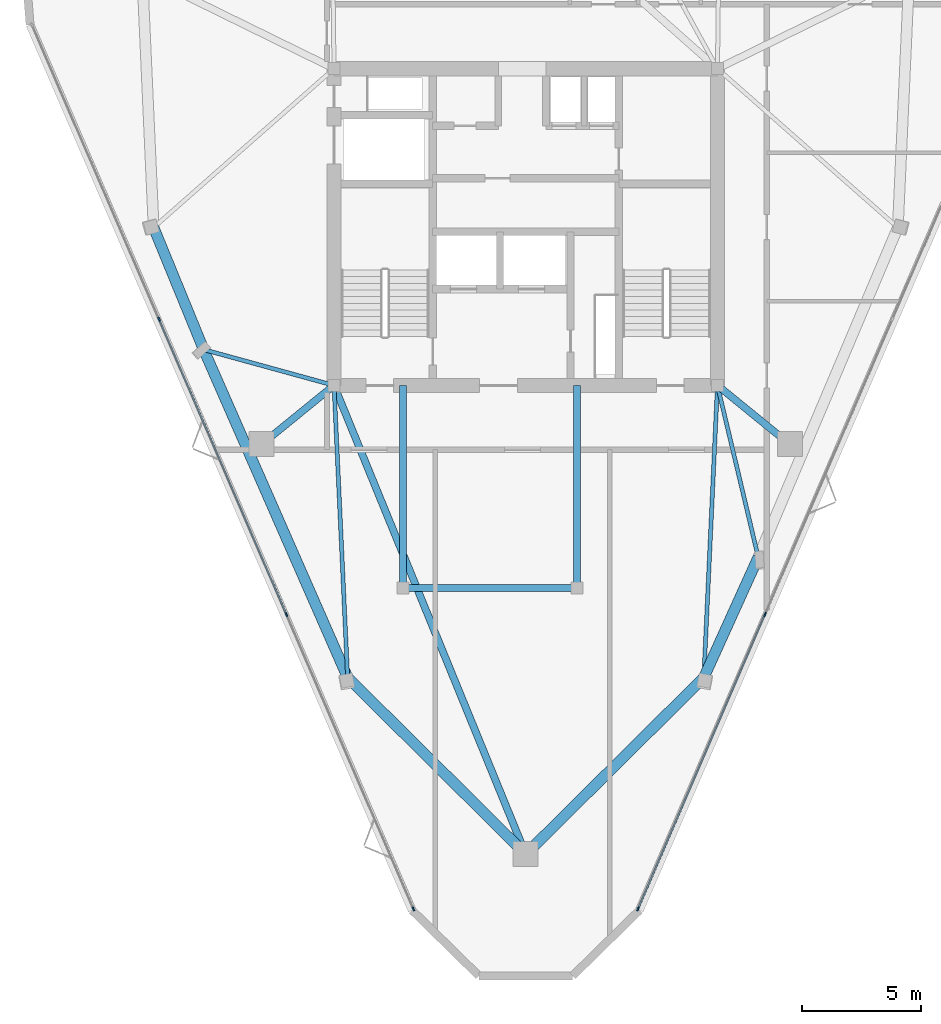
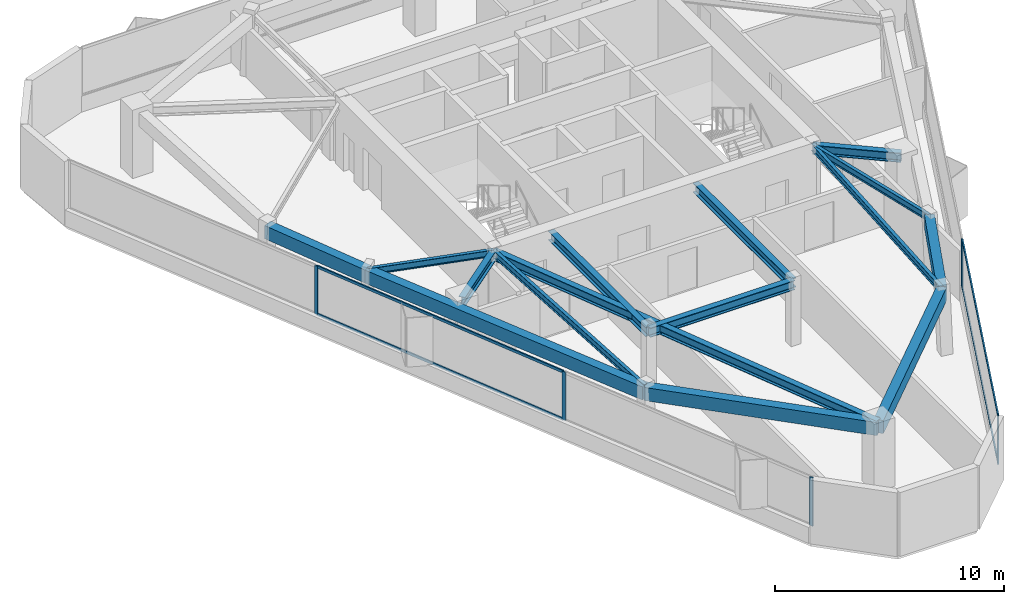
# One storey, part 2 of 9: 15 beams, 9 members, 2 elements without a shape of their own.
"""IFC4 building model written with IfcOpenShell, lengths in metres."""

from ifc_helpers import new_model, si_unit, direction, frame, origin, origin_2d, place, context, subcontext, project, spatial, rectangle, i_section, extrude, material, layer, layer_set, material_profile, profile_set, type_object, element, aggregate, save


model = new_model("IFC4")

# Units and contexts
model_context = context("Model", 3, precision=1e-05, world=origin(), true_north=direction((0.0, 1.0)))
body_context = subcontext(model_context, "Body", "Model", "MODEL_VIEW")
ifc_project = project(units=[si_unit("LENGTHUNIT", "METRE"), si_unit("AREAUNIT", "SQUARE_METRE"), si_unit("VOLUMEUNIT", "CUBIC_METRE"), si_unit("PLANEANGLEUNIT", "RADIAN"), si_unit("MASSUNIT", "GRAM", prefix="KILO")], contexts=[model_context])

# Site, building, storey
site_placement = place(None, origin())
site = spatial("IfcSite", under=ifc_project, at=site_placement, CompositionType="ELEMENT")
building_placement = place(site_placement, origin())
building = spatial("IfcBuilding", under=site, at=building_placement, Name="Talyreon Biosciences Tower", CompositionType="ELEMENT")
storey_placement = place(building_placement, frame((0.0, 0.0, 298.39990234375)))
storey = spatial("IfcBuildingStorey", under=building, at=storey_placement, Name="L79", CompositionType="ELEMENT", Elevation=298.39990234375)

# Curtain wall, members
ifc_material_1 = material(Name="Thermally broken aluminium and low-E glazing", Category="aluminium")
ifc_layer = layer(ifc_material_1, 0.175048828125)
ifc_layer_set = layer_set([ifc_layer], Name="Thermally broken aluminium and low-E glazing")
curtain_wall_type = type_object("IfcCurtainWallType", Name="CurtainWall_Zone5CompLab", PredefinedType="NOTDEFINED", material=ifc_layer_set)
curtain_wall_1_placement = place(storey_placement, origin())
curtain_wall_1 = element("IfcCurtainWall", 1, at=curtain_wall_1_placement, inside=storey, type_object=curtain_wall_type, Name="L79 Unitised Curtain Wall FCW-L79-00", PredefinedType="NOTDEFINED")
ifc_material_2 = material(Name="Anodised thermally broken aluminium", Category="aluminium")
ifc_material_profile_1 = material_profile(ifc_material_2, rectangle(XDim=0.06494140625, YDim=0.179931640625, at=origin_2d()), Name="ALUM MULLION 65x180")
ifc_profile_set_1 = profile_set([ifc_material_profile_1], Name="Anodised thermally broken aluminium")
member_type_1 = type_object("IfcMemberType", Name="CWMullion_65x180", PredefinedType="MULLION", material=ifc_profile_set_1)
member_1_placement = place(storey_placement, frame((61.2861328125, 39.369140625, 0.81005859375), z_axis=(0.0, 0.0, 1.0), x_axis=(-0.918187314575, -0.396146507437, 0.0)))
member_1 = element("IfcMember", 2, at=member_1_placement, type_object=member_type_1, Name="CW6 mullion 1", PredefinedType="MULLION", context=body_context, shape_type="SweptSolid", body=[
    extrude(rectangle(XDim=0.06494140625, YDim=0.179931640625, at=origin_2d()), origin(), (0.0, 0.0, 1.0), 2.590087890625),
])
member_2_placement = place(storey_placement, frame((55.951416015625, 51.733642578125, 0.81005859375), z_axis=(0.0, 0.0, 1.0), x_axis=(-0.918187314575, -0.396146507437, 0.0)))
member_2 = element("IfcMember", 3, at=member_2_placement, type_object=member_type_1, Name="CW6 mullion 2", PredefinedType="MULLION", context=body_context, shape_type="SweptSolid", body=[
    extrude(rectangle(XDim=0.06494140625, YDim=0.179931640625, at=origin_2d()), origin(), (0.0, 0.0, 1.0), 2.590087890625),
])
member_3_placement = place(storey_placement, frame((50.60400390625, 64.1279296875, 0.81005859375), z_axis=(0.0, 0.0, 1.0), x_axis=(-0.918187314575, -0.396146507437, 0.0)))
member_3 = element("IfcMember", 4, at=member_3_placement, type_object=member_type_1, Name="CW6 mullion 3", PredefinedType="MULLION", context=body_context, shape_type="SweptSolid", body=[
    extrude(rectangle(XDim=0.06494140625, YDim=0.179931640625, at=origin_2d()), origin(), (0.0, 0.0, 1.0), 2.590087890625),
])

curtain_wall_2_placement = place(storey_placement, origin())
curtain_wall_2 = element("IfcCurtainWall", 5, at=curtain_wall_2_placement, inside=storey, type_object=curtain_wall_type, Name="L79 Unitised Curtain Wall FCW-L79-08", PredefinedType="NOTDEFINED")
member_4_placement = place(storey_placement, frame((76.048583984375, 51.733642578125, 0.81005859375), z_axis=(0.0, 0.0, 1.0), x_axis=(0.918187314575, -0.396146507437, 0.0)))
member_4 = element("IfcMember", 6, at=member_4_placement, type_object=member_type_1, Name="CW6 mullion 3", PredefinedType="MULLION", context=body_context, shape_type="SweptSolid", body=[
    extrude(rectangle(XDim=0.06494140625, YDim=0.179931640625, at=origin_2d()), origin(), (0.0, 0.0, 1.0), 2.590087890625),
])
member_5_placement = place(storey_placement, frame((70.7138671875, 39.369140625, 0.81005859375), z_axis=(0.0, 0.0, 1.0), x_axis=(0.918187314575, -0.396146507437, 0.0)))
member_5 = element("IfcMember", 7, at=member_5_placement, type_object=member_type_1, Name="CW6 mullion 4", PredefinedType="MULLION", context=body_context, shape_type="SweptSolid", body=[
    extrude(rectangle(XDim=0.06494140625, YDim=0.179931640625, at=origin_2d()), origin(), (0.0, 0.0, 1.0), 2.590087890625),
])

# Member
ifc_material_profile_2 = material_profile(ifc_material_2, rectangle(XDim=0.06494140625, YDim=0.139892578125, at=origin_2d()), Name="ALUM TRANSOM 65x140")
ifc_profile_set_2 = profile_set([ifc_material_profile_2], Name="Anodised thermally broken aluminium")
member_type_2 = type_object("IfcMemberType", Name="CWTransom_65x140", PredefinedType="USERDEFINED", material=ifc_profile_set_2)
member_6_placement = place(storey_placement, frame((55.9384765625, 51.763427734375, 0.842529296875), z_axis=(-0.396140083642, 0.918190086056, 0.0), x_axis=(-0.918190086056, -0.396140083642, 0.0)))
member_6 = element("IfcMember", 8, at=member_6_placement, type_object=member_type_2, Name="CW6 transom 2.1", ObjectType="TRANSOM", PredefinedType="USERDEFINED", context=body_context, shape_type="SweptSolid", body=[
    extrude(rectangle(XDim=0.06494140625, YDim=0.139892578125, at=origin_2d()), origin(), (0.0, 0.0, 1.0), 13.433349609375),
])

member_7_placement = place(storey_placement, frame((55.9384765625, 51.763427734375, 3.36767578125), z_axis=(-0.396140083642, 0.918190086056, 0.0), x_axis=(-0.918190086056, -0.396140083642, 0.0)))
member_7 = element("IfcMember", 9, at=member_7_placement, type_object=member_type_2, Name="CW6 transom 2.2", ObjectType="TRANSOM", PredefinedType="USERDEFINED", context=body_context, shape_type="SweptSolid", body=[
    extrude(rectangle(XDim=0.06494140625, YDim=0.139892578125, at=origin_2d()), origin(), (0.0, 0.0, 1.0), 13.433349609375),
])

aggregate(curtain_wall_1, [member_1, member_2, member_3, member_6, member_7])

member_8_placement = place(storey_placement, frame((76.03564453125, 51.70361328125, 0.842529296875), z_axis=(-0.39614983923, -0.918185877085, 0.0), x_axis=(0.918185877085, -0.39614983923, 0.0)))
member_8 = element("IfcMember", 10, at=member_8_placement, type_object=member_type_2, Name="CW6 transom 3.1", ObjectType="TRANSOM", PredefinedType="USERDEFINED", context=body_context, shape_type="SweptSolid", body=[
    extrude(rectangle(XDim=0.06494140625, YDim=0.139892578125, at=origin_2d()), origin(), (0.0, 0.0, 1.0), 13.401123046875),
])

member_9_placement = place(storey_placement, frame((76.03564453125, 51.70361328125, 3.36767578125), z_axis=(-0.39614983923, -0.918185877085, 0.0), x_axis=(0.918185877085, -0.39614983923, 0.0)))
member_9 = element("IfcMember", 11, at=member_9_placement, type_object=member_type_2, Name="CW6 transom 3.2", ObjectType="TRANSOM", PredefinedType="USERDEFINED", context=body_context, shape_type="SweptSolid", body=[
    extrude(rectangle(XDim=0.06494140625, YDim=0.139892578125, at=origin_2d()), origin(), (0.0, 0.0, 1.0), 13.401123046875),
])

aggregate(curtain_wall_2, [member_4, member_5, member_8, member_9])

# Beams
ifc_material_3 = material(Name="Precast concrete C45/55", Category="concrete")
ifc_material_profile_3 = material_profile(ifc_material_3, rectangle(XDim=0.449951171875, YDim=0.699951171875, at=origin_2d()), Name="RCB 450x700")
ifc_profile_set_3 = profile_set([ifc_material_profile_3], Name="Precast concrete C45/55")
beam_type_1 = type_object("IfcBeamType", Name="ExpressedSpandrel_450x700", PredefinedType="SPANDREL", material=ifc_profile_set_3)
beam_1_placement = place(storey_placement, frame((66.0, 41.6669921875, 3.050048828125), z_axis=(0.709974863856, 0.704227017866, 0.0), x_axis=(-0.704227017866, 0.709974863856, 0.0)))
element("IfcBeam", 12, at=beam_1_placement, inside=storey, type_object=beam_type_1, Name="L79 Expressed Horizontal Concrete Spandrel 01", PredefinedType="SPANDREL", context=body_context, shape_type="SweptSolid", body=[
    extrude(rectangle(XDim=0.449951171875, YDim=0.699951171875, at=origin_2d()), origin(), (0.0, 0.0, 1.0), 10.533935546875),
])
for number, where, z_axis, x_axis, name in (
    (13, (73.478759765625, 49.085205078125, 3.050048828125), (0.412408209257, 0.91099915968, 0.0), (-0.91099915968, 0.412408209257, 0.0), "L79 Expressed Horizontal Concrete Spandrel 02"),
    (14, (50.375, 67.981201171875, 3.050048828125), (0.379277839266, -0.925282832782, 0.0), (0.925282832782, 0.379277839266, 0.0), "L79 Expressed Horizontal Concrete Spandrel 10"),
):
    element("IfcBeam", number, at=place(storey_placement, frame(where, z_axis=z_axis, x_axis=x_axis)), inside=storey, type_object=beam_type_1, Name=name, PredefinedType="SPANDREL", context=body_context, shape_type="SweptSolid", body=[
        extrude(rectangle(XDim=0.449951171875, YDim=0.699951171875, at=origin_2d()), origin(), (0.0, 0.0, 1.0), 5.541015625),
    ])
beam_2_placement = place(storey_placement, frame((52.4765625, 62.854248046875, 3.050048828125), z_axis=(0.401975122069, -0.915650589056, 0.0), x_axis=(0.915650589056, 0.401975122069, 0.0)))
element("IfcBeam", 15, at=beam_2_placement, inside=storey, type_object=beam_type_1, Name="L79 Expressed Horizontal Concrete Spandrel 11", PredefinedType="SPANDREL", context=body_context, shape_type="SweptSolid", body=[
    extrude(rectangle(XDim=0.449951171875, YDim=0.699951171875, at=origin_2d()), origin(), (0.0, 0.0, 1.0), 15.037353515625),
])
beam_3_placement = place(storey_placement, frame((58.521240234375, 49.085205078125, 3.050048828125), z_axis=(0.709974863856, -0.704227017866, 0.0), x_axis=(0.704227017866, 0.709974863856, 0.0)))
element("IfcBeam", 16, at=beam_3_placement, inside=storey, type_object=beam_type_1, Name="L79 Expressed Horizontal Concrete Spandrel 12", PredefinedType="SPANDREL", context=body_context, shape_type="SweptSolid", body=[
    extrude(rectangle(XDim=0.449951171875, YDim=0.699951171875, at=origin_2d()), origin(), (0.0, 0.0, 1.0), 10.533935546875),
])
ifc_material_4 = material(Name="Steel SM355", Category="steel")
ifc_material_profile_4 = material_profile(ifc_material_4, i_section(OverallWidth=0.300048828125, OverallDepth=0.5, WebThickness=0.014404296875, FlangeThickness=0.028076171875, FilletRadius=0.027099609375, at=origin_2d()), Name="HE500B")
ifc_profile_set_4 = profile_set([ifc_material_profile_4], Name="Steel SM355")
beam_type_2 = type_object("IfcBeamType", Name="SteelBeam_HE500B", PredefinedType="BEAM", material=ifc_profile_set_4)
beam_4_placement = place(storey_placement, frame((57.949951171875, 61.35009765625, 3.150146484375), z_axis=(0.378547014545, -0.925582064314, 0.0), x_axis=(0.925582064314, 0.378547014545, 0.0)))
element("IfcBeam", 17, at=beam_4_placement, inside=storey, type_object=beam_type_2, Name="L79 Radial Primary Girder 1", PredefinedType="BEAM", context=body_context, shape_type="SweptSolid", body=[
    extrude(i_section(OverallWidth=0.300048828125, OverallDepth=0.5, WebThickness=0.014404296875, FlangeThickness=0.028076171875, FilletRadius=0.027099609375, at=origin_2d()), origin(), (0.0, 0.0, 1.0), 21.265625),
])
for number, where, z_axis, x_axis, name in (
    (18, (74.050048828125, 61.35009765625, 3.150146484375), (0.775755154013, -0.631034025249, 0.0), (0.631034025249, 0.775755154013, 0.0), "L79 Radial Primary Girder 2"),
    (19, (57.949951171875, 61.35009765625, 3.150146484375), (-0.775755154013, -0.631034025249, 0.0), (0.631034025249, -0.775755154013, 0.0), "L79 Radial Primary Girder 6"),
):
    element("IfcBeam", number, at=place(storey_placement, frame(where, z_axis=z_axis, x_axis=x_axis)), inside=storey, type_object=beam_type_2, Name=name, PredefinedType="BEAM", context=body_context, shape_type="SweptSolid", body=[
        extrude(i_section(OverallWidth=0.300048828125, OverallDepth=0.5, WebThickness=0.014404296875, FlangeThickness=0.028076171875, FilletRadius=0.027099609375, at=origin_2d()), origin(), (0.0, 0.0, 1.0), 3.913818359375),
    ])
beam_5_placement = place(storey_placement, frame((60.85009765625, 52.840087890625, 3.150146484375), z_axis=(1.0, 0.0, 0.0), x_axis=(0.0, 1.0, 0.0)))
element("IfcBeam", 20, at=beam_5_placement, inside=storey, type_object=beam_type_2, Name="L79 Crown Shaft Spine Girder S", PredefinedType="BEAM", context=body_context, shape_type="SweptSolid", body=[
    extrude(i_section(OverallWidth=0.300048828125, OverallDepth=0.5, WebThickness=0.014404296875, FlangeThickness=0.028076171875, FilletRadius=0.027099609375, at=origin_2d()), origin(), (0.0, 0.0, 1.0), 7.2998046875),
])
for number, where, z_axis, x_axis, name in (
    (21, (60.85009765625, 52.840087890625, 3.150146484375), (0.0, 1.0, 0.0), (-1.0, 0.0, 0.0), "L79 Crown Shaft Tie Girder W"),
    (22, (68.14990234375, 52.840087890625, 3.150146484375), (0.0, 1.0, 0.0), (-1.0, 0.0, 0.0), "L79 Crown Shaft Tie Girder E"),
):
    element("IfcBeam", number, at=place(storey_placement, frame(where, z_axis=z_axis, x_axis=x_axis)), inside=storey, type_object=beam_type_2, Name=name, PredefinedType="BEAM", context=body_context, shape_type="SweptSolid", body=[
        extrude(i_section(OverallWidth=0.300048828125, OverallDepth=0.5, WebThickness=0.014404296875, FlangeThickness=0.028076171875, FilletRadius=0.027099609375, at=origin_2d()), origin(), (0.0, 0.0, 1.0), 8.510009765625),
    ])
ifc_material_profile_5 = material_profile(ifc_material_4, i_section(OverallWidth=0.169921875, OverallDepth=0.360107421875, WebThickness=0.008056640625, FlangeThickness=0.0126953125, FilletRadius=0.01806640625, at=origin_2d()), Name="IPE360")
ifc_profile_set_5 = profile_set([ifc_material_profile_5], Name="Steel SM355")
beam_type_3 = type_object("IfcBeamType", Name="SteelJoist_IPE360", PredefinedType="JOIST", material=ifc_profile_set_5)
beam_6_placement = place(storey_placement, frame((74.050048828125, 61.35009765625, 3.22021484375), z_axis=(-0.046528766925, -0.998916950426, 0.0), x_axis=(0.998916950426, -0.046528766925, 0.0)))
element("IfcBeam", 23, at=beam_6_placement, inside=storey, type_object=beam_type_3, Name="L79 Radial Composite Floor Joist PC-SE1", PredefinedType="JOIST", context=body_context, shape_type="SweptSolid", body=[
    extrude(i_section(OverallWidth=0.169921875, OverallDepth=0.360107421875, WebThickness=0.008056640625, FlangeThickness=0.0126953125, FilletRadius=0.01806640625, at=origin_2d()), origin(), (0.0, 0.0, 1.0), 12.278076171875),
])
beam_7_placement = place(storey_placement, frame((74.050048828125, 61.35009765625, 3.22021484375), z_axis=(0.231049453437, -0.972942007556, 0.0), x_axis=(0.972942007556, 0.231049453437, 0.0)))
element("IfcBeam", 24, at=beam_7_placement, inside=storey, type_object=beam_type_3, Name="L79 Radial Composite Floor Joist PL-SE", PredefinedType="JOIST", context=body_context, shape_type="SweptSolid", body=[
    extrude(i_section(OverallWidth=0.169921875, OverallDepth=0.360107421875, WebThickness=0.008056640625, FlangeThickness=0.0126953125, FilletRadius=0.01806640625, at=origin_2d()), origin(), (0.0, 0.0, 1.0), 7.417724609375),
])
beam_8_placement = place(storey_placement, frame((57.949951171875, 61.35009765625, 3.22021484375), z_axis=(-0.964251837313, 0.264987536005, 0.0), x_axis=(-0.264987536005, -0.964251837313, 0.0)))
element("IfcBeam", 25, at=beam_8_placement, inside=storey, type_object=beam_type_3, Name="L79 Radial Composite Floor Joist PL-SW", PredefinedType="JOIST", context=body_context, shape_type="SweptSolid", body=[
    extrude(i_section(OverallWidth=0.169921875, OverallDepth=0.360107421875, WebThickness=0.008056640625, FlangeThickness=0.0126953125, FilletRadius=0.01806640625, at=origin_2d()), origin(), (0.0, 0.0, 1.0), 5.67626953125),
])
beam_9_placement = place(storey_placement, frame((57.949951171875, 61.35009765625, 3.22021484375), z_axis=(0.046528766925, -0.998916950426, 0.0), x_axis=(0.998916950426, 0.046528766925, 0.0)))
element("IfcBeam", 26, at=beam_9_placement, inside=storey, type_object=beam_type_3, Name="L79 Radial Composite Floor Joist PC-SW2", PredefinedType="JOIST", context=body_context, shape_type="SweptSolid", body=[
    extrude(i_section(OverallWidth=0.169921875, OverallDepth=0.360107421875, WebThickness=0.008056640625, FlangeThickness=0.0126953125, FilletRadius=0.01806640625, at=origin_2d()), origin(), (0.0, 0.0, 1.0), 12.278076171875),
])

save(model, "model.ifc")
